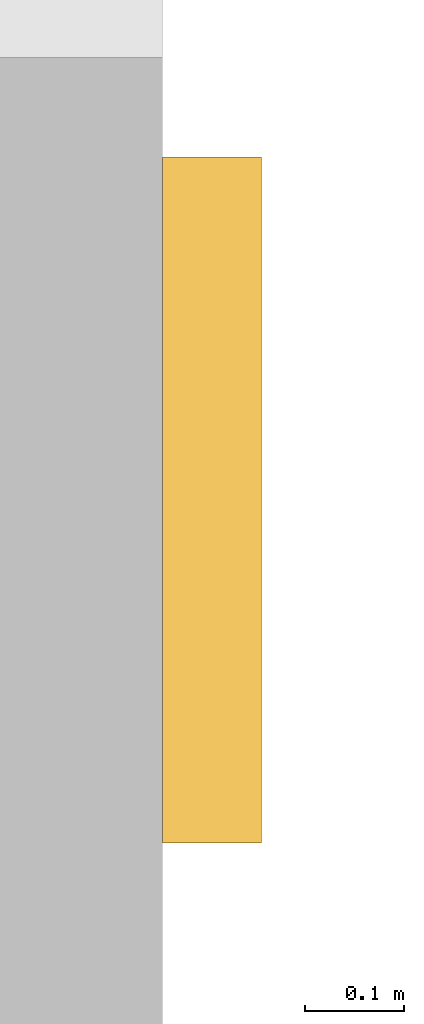
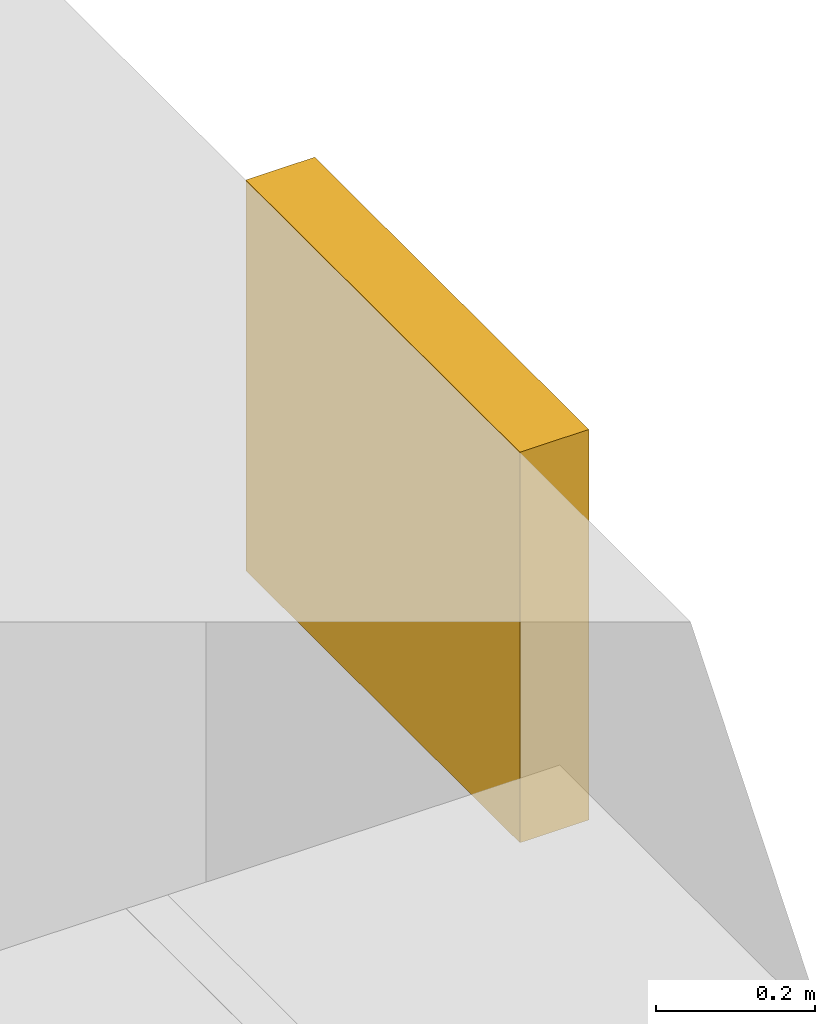
# One storey, part 16 of 17: 1 shading device.
"""IFC4 building model written with IfcOpenShell, lengths in metres."""

from ifc_helpers import new_model, si_unit, direction, frame, origin, origin_2d, place, context, subcontext, project, spatial, rectangle, extrude, material, layer, layer_set, type_object, element, save


model = new_model("IFC4")

# Units and contexts
model_context = context("Model", 3, precision=1e-05, world=origin(), true_north=direction((0.0, 1.0)))
body_context = subcontext(model_context, "Body", "Model", "MODEL_VIEW")
ifc_project = project(units=[si_unit("LENGTHUNIT", "METRE"), si_unit("AREAUNIT", "SQUARE_METRE"), si_unit("VOLUMEUNIT", "CUBIC_METRE"), si_unit("PLANEANGLEUNIT", "RADIAN"), si_unit("MASSUNIT", "GRAM", prefix="KILO")], contexts=[model_context])

# Site, building, storey
site_placement = place(None, origin())
site = spatial("IfcSite", under=ifc_project, at=site_placement, CompositionType="ELEMENT")
building_placement = place(site_placement, origin())
building = spatial("IfcBuilding", under=site, at=building_placement, Name="Vermilion Gate Residences", CompositionType="ELEMENT")
storey_placement = place(building_placement, frame((0.0, 0.0, 116.199951171875)))
storey = spatial("IfcBuildingStorey", under=building, at=storey_placement, Name="L29", CompositionType="ELEMENT", Elevation=116.199951171875)

# Shading device
ifc_material = material(Name="Extruded terracotta", Category="masonry")
ifc_layer = layer(ifc_material, 0.10009765625)
ifc_layer_set = layer_set([ifc_layer], Name="TERRACOTTA SPANDREL BAND 600 X 100")
shading_device_type = type_object("IfcShadingDeviceType", Name="TERRACOTTA SPANDREL BAND 600 X 100", PredefinedType="USERDEFINED", material=ifc_layer_set)
shading_device_placement = place(storey_placement, frame((25.25, 54.7548828125, 2.6201171875), z_axis=(0.0, 0.0, 1.0), x_axis=(0.0, 1.0, 0.0)))
element("IfcShadingDevice", 1, at=shading_device_placement, inside=storey, type_object=shading_device_type, Name="SPANDREL BAND", ObjectType="BAND", PredefinedType="USERDEFINED", context=body_context, shape_type="SweptSolid", body=[
    extrude(rectangle(XDim=0.68994140625, YDim=0.10009765625, at=origin_2d()), origin(), (0.0, 0.0, 1.0), 0.60009765625),
])

save(model, "model.ifc")
